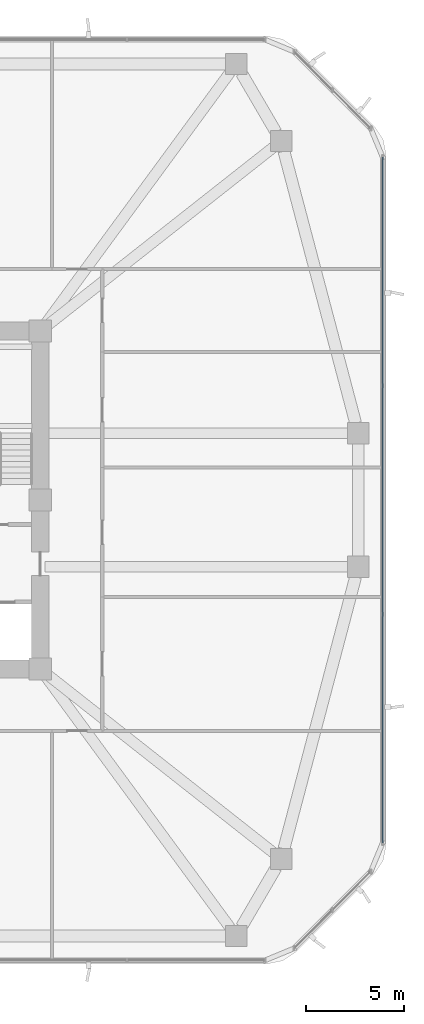
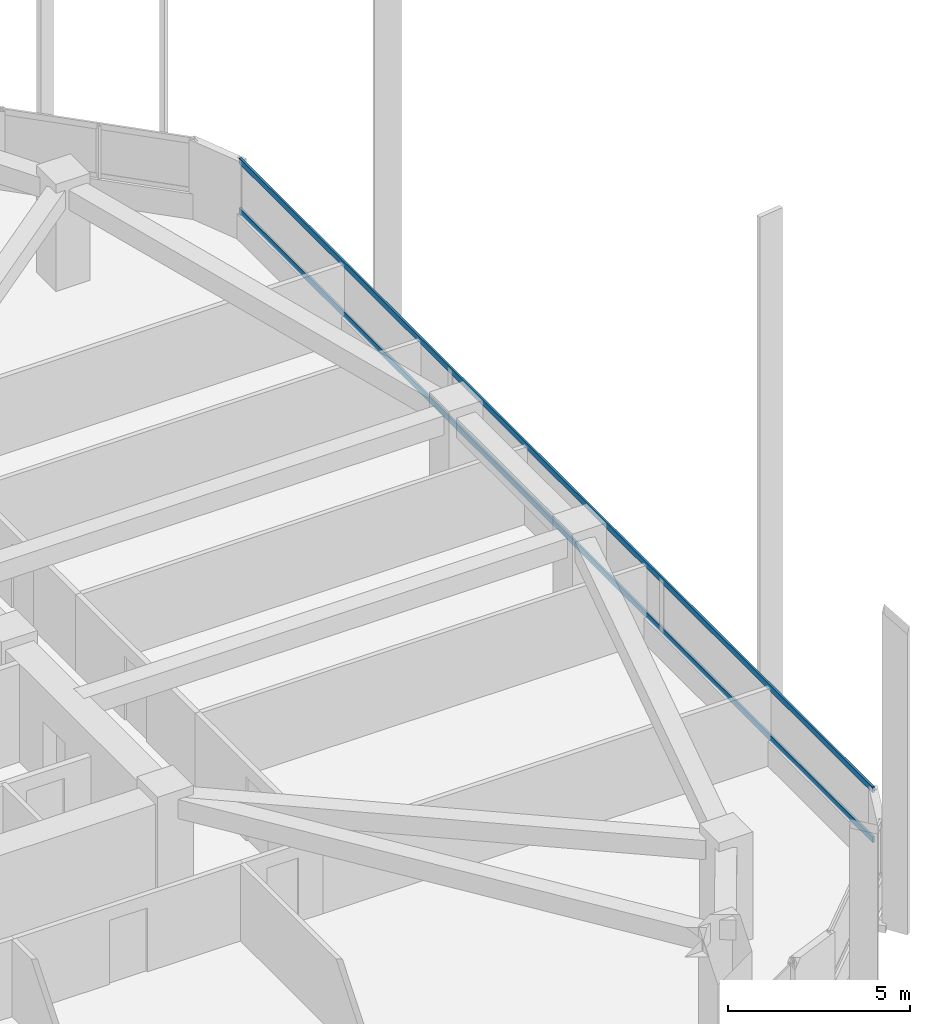
# One storey, part 5 of 17: 2 members, 1 element without a shape of its own.
"""IFC4 building model written with IfcOpenShell, lengths in metres."""

import ifcopenshell
import ifcopenshell.guid

model = None  # the IFC model being written
_history = None  # IfcOwnerHistory: only IFC2X3 demands one
_inside = {}  # id of a spatial element -> (the spatial element, [elements in it])
_under = {}  # id of a project, library or spatial element -> (it, [spatial elements below it])
_declared = {}  # id of a project -> (the project, [libraries it declares])
_typed = {}  # id of a type object -> (the type object, [elements of that type])
_made_of = {}  # id of a material, layer set ... -> (it, [elements and type objects made of it])


def new_model(schema):
    """Start an empty IFC model of exactly this schema.

    Asked for "IFC4X3", IfcOpenShell would pick the latest addendum, in which some entities
    have other attributes; the version numbers below select the first issue.
    IFC2X3 requires an IfcOwnerHistory on every rooted entity: one is made here for all.
    """
    global model, _history
    if schema == "IFC4X3":
        model = ifcopenshell.file(schema_version=(4, 3, 0, 0))
    else:
        model = ifcopenshell.file(schema=schema)
    _inside.clear()
    _under.clear()
    _declared.clear()
    _typed.clear()
    _made_of.clear()
    _history = None
    if model.schema == "IFC2X3":
        org = make("IfcOrganization", Name="unknown")
        user = make(
            "IfcPersonAndOrganization",
            ThePerson=make("IfcPerson", FamilyName="unknown"),
            TheOrganization=org,
        )
        app = make(
            "IfcApplication",
            ApplicationDeveloper=org,
            Version="unknown",
            ApplicationFullName="unknown",
            ApplicationIdentifier="unknown",
        )
        _history = make(
            "IfcOwnerHistory",
            OwningUser=user,
            OwningApplication=app,
            ChangeAction="ADDED",
            CreationDate=0,
        )
    return model


def make(cls, **values):
    """One entity of the class cls with the attributes given. An attribute that is None is left unset."""
    return model.create_entity(
        cls, **{name: value for name, value in values.items() if value is not None}
    )


def rooted(cls, **values):
    """An entity with a GlobalId (a new one), such as an element, a storey or a relation."""
    return make(cls, GlobalId=ifcopenshell.guid.new(), OwnerHistory=_history, **values)


def si_unit(unit_type, name, prefix=None):
    """IfcSIUnit, for example si_unit("LENGTHUNIT", "METRE", prefix="MILLI")."""
    return make("IfcSIUnit", UnitType=unit_type, Prefix=prefix, Name=name)


def derived_unit(unit_type, elements):
    """IfcDerivedUnit: a product of units, each with its exponent."""
    return make(
        "IfcDerivedUnit",
        Elements=[
            make("IfcDerivedUnitElement", Unit=unit, Exponent=power)
            for unit, power in elements
        ],
        UnitType=unit_type,
    )


def assignment(units):
    """IfcUnitAssignment: the units of a project."""
    return None if units is None else make("IfcUnitAssignment", Units=units)


def point(xyz):
    """IfcCartesianPoint."""
    return None if xyz is None else make("IfcCartesianPoint", Coordinates=xyz)


def direction(xyz):
    """IfcDirection."""
    return None if xyz is None else make("IfcDirection", DirectionRatios=xyz)


def frame(location, z_axis=None, x_axis=None):
    """IfcAxis2Placement3D, a coordinate frame: its origin and axes. An axis left out is left unset."""
    return make(
        "IfcAxis2Placement3D",
        Location=point(location),
        Axis=direction(z_axis),
        RefDirection=direction(x_axis),
    )


def frame_2d(location, x_axis=None):
    """IfcAxis2Placement2D, a coordinate frame in the plane: its origin and x axis."""
    return make(
        "IfcAxis2Placement2D", Location=point(location), RefDirection=direction(x_axis)
    )


def origin():
    """The frame at (0, 0, 0) with its axes left unset."""
    return frame((0.0, 0.0, 0.0))


def origin_2d():
    """The frame at (0, 0) in the plane with its x axis left unset."""
    return frame_2d((0.0, 0.0))


def place(relative_to, where):
    """IfcLocalPlacement: puts the frame where relative to a parent placement (None: the world)."""
    return make(
        "IfcLocalPlacement", PlacementRelTo=relative_to, RelativePlacement=where
    )


def context(
    kind, dimensions, precision=None, world=None, true_north=None, identifier=None
):
    """IfcGeometricRepresentationContext, for example the 3D "Model" context."""
    return make(
        "IfcGeometricRepresentationContext",
        ContextIdentifier=identifier,
        ContextType=kind,
        CoordinateSpaceDimension=dimensions,
        Precision=precision,
        WorldCoordinateSystem=world,
        TrueNorth=true_north,
    )


def subcontext(parent, identifier, kind, view, scale=None):
    """IfcGeometricRepresentationSubContext, for example "Body" below "Model"."""
    return make(
        "IfcGeometricRepresentationSubContext",
        ContextIdentifier=identifier,
        ContextType=kind,
        ParentContext=parent,
        TargetScale=scale,
        TargetView=view,
    )


def project(units=None, contexts=None):
    """IfcProject with its units and contexts."""
    return rooted(
        "IfcProject",
        Name="project",
        RepresentationContexts=contexts,
        UnitsInContext=assignment(units),
    )


def spatial(cls, under=None, at=None, **own):
    """A site, building, storey or space (cls), placed at a placement, below another one or the project."""
    s = rooted(cls, ObjectPlacement=at, **own)
    if under is not None:
        _under.setdefault(under.id(), (under, []))[1].append(s)
    return s


def profile(cls, at=None, kind="AREA", **sizes):
    """A parametric profile (cls). Its sizes go by their IFC names, for example OverallWidth=200.0."""
    return make(cls, ProfileType=kind, Position=at, **sizes)


def rectangle(**sizes):
    """IfcRectangleProfileDef."""
    return profile("IfcRectangleProfileDef", **sizes)


def extrude(swept, where, along, depth):
    """IfcExtrudedAreaSolid: the profile swept, set in the frame where, extruded along a direction by depth."""
    return make(
        "IfcExtrudedAreaSolid",
        SweptArea=swept,
        Position=where,
        ExtrudedDirection=direction(along),
        Depth=depth,
    )


def shape(context_of_items, identifier, shape_type, items):
    """IfcShapeRepresentation: the items that make up one representation, for example the "Body"."""
    return make(
        "IfcShapeRepresentation",
        ContextOfItems=context_of_items,
        RepresentationIdentifier=identifier,
        RepresentationType=shape_type,
        Items=items,
    )


def material(Name=None, Category=None):
    """IfcMaterial."""
    return make("IfcMaterial", Name=Name, Category=Category)


def material_profile(
    of_material, cross_section, Name=None, Category=None, Priority=None
):
    """IfcMaterialProfile: a cross section and its material."""
    return make(
        "IfcMaterialProfile",
        Name=Name,
        Material=of_material,
        Profile=cross_section,
        Priority=Priority,
        Category=Category,
    )


def profile_set(profiles, Name=None, composite=None):
    """IfcMaterialProfileSet."""
    return make(
        "IfcMaterialProfileSet",
        Name=Name,
        MaterialProfiles=profiles,
        CompositeProfile=composite,
    )


def made_of(thing, what):
    """Note that an element or type object is made of a material, layer set ...; save() writes the relation."""
    if what is not None:
        _made_of.setdefault(what.id(), (what, []))[1].append(thing)
    return thing


def type_object(cls, material=None, **own):
    """A type object (cls), such as IfcWallType, which elements share."""
    return made_of(rooted(cls, **own), material)


def element(
    cls,
    number,
    at=None,
    inside=None,
    cuts=None,
    type_object=None,
    material=None,
    context=None,
    identifier="Body",
    shape_type=None,
    held_by="IfcProductDefinitionShape",
    body=None,
    shapes=None,
    **own,
):
    """One element of the class cls, such as IfcWall. Its Tag is "e" and its number.

    at: its placement. inside: the storey or other place that contains it. cuts: it is an
    opening in that element (IfcRelVoidsElement). A single representation is given by context,
    identifier, shape_type and body (its items); several are given by shapes. held_by: the class
    of the entity that holds the representations. save() writes the other relations.
    """
    e = rooted(cls, Tag="e%d" % number, ObjectPlacement=at, **own)
    if body is not None:
        shapes = [shape(context, identifier, shape_type, body)]
    if shapes is not None:
        e.Representation = make(held_by, Representations=shapes)
    if inside is not None:
        _inside.setdefault(inside.id(), (inside, []))[1].append(e)
    if cuts is not None:
        rooted(
            "IfcRelVoidsElement", RelatingBuildingElement=cuts, RelatedOpeningElement=e
        )
    if type_object is not None:
        _typed.setdefault(type_object.id(), (type_object, []))[1].append(e)
    return made_of(e, material)


def aggregate(whole, parts):
    """IfcRelAggregates: a whole, such as a stair, and the parts it consists of."""
    return rooted("IfcRelAggregates", RelatingObject=whole, RelatedObjects=parts)


def save(model, path):
    """Write the relations noted so far, then the file.

    IfcRelAggregates (storeys below a building ...), IfcRelContainedInSpatialStructure (elements
    in a storey), IfcRelDefinesByType, IfcRelAssociatesMaterial and IfcRelDeclares: one each for
    every whole, place, type object, material and project.
    """
    for whole, parts in _under.values():
        aggregate(whole, parts)
    for where, things in _inside.values():
        rooted(
            "IfcRelContainedInSpatialStructure",
            RelatedElements=things,
            RelatingStructure=where,
        )
    for kind, things in _typed.values():
        rooted("IfcRelDefinesByType", RelatedObjects=things, RelatingType=kind)
    for what, things in _made_of.values():
        rooted("IfcRelAssociatesMaterial", RelatedObjects=things, RelatingMaterial=what)
    for by, libraries in _declared.values():
        rooted("IfcRelDeclares", RelatingContext=by, RelatedDefinitions=libraries)
    model.write(path)


model = new_model("IFC4")

# Units and contexts
model_context = context("Model", 3, precision=1e-05, world=origin(), true_north=direction((0.0, 1.0)))
body_context = subcontext(model_context, "Body", "Model", "MODEL_VIEW")
ifc_project = project(units=[si_unit("LENGTHUNIT", "METRE"), si_unit("AREAUNIT", "SQUARE_METRE"), si_unit("VOLUMEUNIT", "CUBIC_METRE"), si_unit("PLANEANGLEUNIT", "RADIAN"), si_unit("MASSUNIT", "GRAM", prefix="KILO"), derived_unit("THERMALTRANSMITTANCEUNIT", [(si_unit("POWERUNIT", "WATT"), 1), (si_unit("LENGTHUNIT", "METRE"), -2), (si_unit("THERMODYNAMICTEMPERATUREUNIT", "KELVIN"), -1)])], contexts=[model_context])

# Site, building, storey
site_placement = place(None, origin())
site = spatial("IfcSite", under=ifc_project, at=site_placement, CompositionType="ELEMENT")
building_placement = place(site_placement, origin())
building = spatial("IfcBuilding", under=site, at=building_placement, Name="Koralith Skygarden Medical Center", CompositionType="ELEMENT")
storey_placement = place(building_placement, frame((0.0, 0.0, 67.139892578125)))
storey = spatial("IfcBuildingStorey", under=building, at=storey_placement, Name="L17", CompositionType="ELEMENT", Elevation=67.139892578125)

# Curtain wall, members
ifc_material_1 = material(Name="Clear Laminated Glass", Category="glass")
curtain_wall_type = type_object("IfcCurtainWallType", Name="CW-2 Zone 1 Hurricane Unitised Curtain Wall", PredefinedType="NOTDEFINED", material=ifc_material_1)
curtain_wall_placement = place(storey_placement, origin())
curtain_wall = element("IfcCurtainWall", 1, at=curtain_wall_placement, inside=storey, type_object=curtain_wall_type, Name="Curtain Wall CW-L17-E", PredefinedType="NOTDEFINED")
ifc_material_2 = material(Name="Aluminium 6063-T6", Category="aluminium")
ifc_material_profile = material_profile(ifc_material_2, rectangle(XDim=0.06591796875, YDim=0.197998046875, at=origin_2d()), Name="TRN66X198")
ifc_profile_set = profile_set([ifc_material_profile], Name="Aluminium 6063-T6")
member_type = type_object("IfcMemberType", Name="CW-2 Thermal Transom 66x198", PredefinedType="USERDEFINED", material=ifc_profile_set)
member_1_placement = place(storey_placement, frame((65.6201171875, 8.455078125, 0.900146484375), z_axis=(0.0, 1.0, 0.0), x_axis=(-1.0, 0.0, 0.0)))
member_1 = element("IfcMember", 2, at=member_1_placement, type_object=member_type, Name="CW-L17-E Transom 1", ObjectType="TRANSOM", PredefinedType="USERDEFINED", context=body_context, shape_type="SweptSolid", body=[
    extrude(rectangle(XDim=0.06591796875, YDim=0.197998046875, at=origin_2d()), origin(), (0.0, 0.0, 1.0), 34.889892578125),
])
member_2_placement = place(storey_placement, frame((65.6201171875, 8.455078125, 2.580078125), z_axis=(0.0, 1.0, 0.0), x_axis=(-1.0, 0.0, 0.0)))
member_2 = element("IfcMember", 3, at=member_2_placement, type_object=member_type, Name="CW-L17-E Transom 2", ObjectType="TRANSOM", PredefinedType="USERDEFINED", context=body_context, shape_type="SweptSolid", body=[
    extrude(rectangle(XDim=0.06591796875, YDim=0.197998046875, at=origin_2d()), origin(), (0.0, 0.0, 1.0), 34.889892578125),
])
aggregate(curtain_wall, [member_1, member_2])

save(model, "model.ifc")
